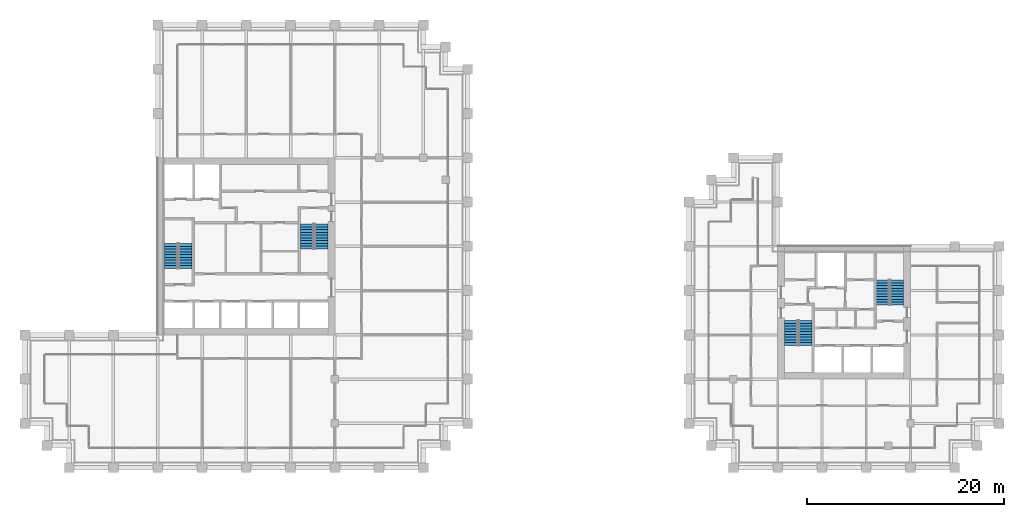
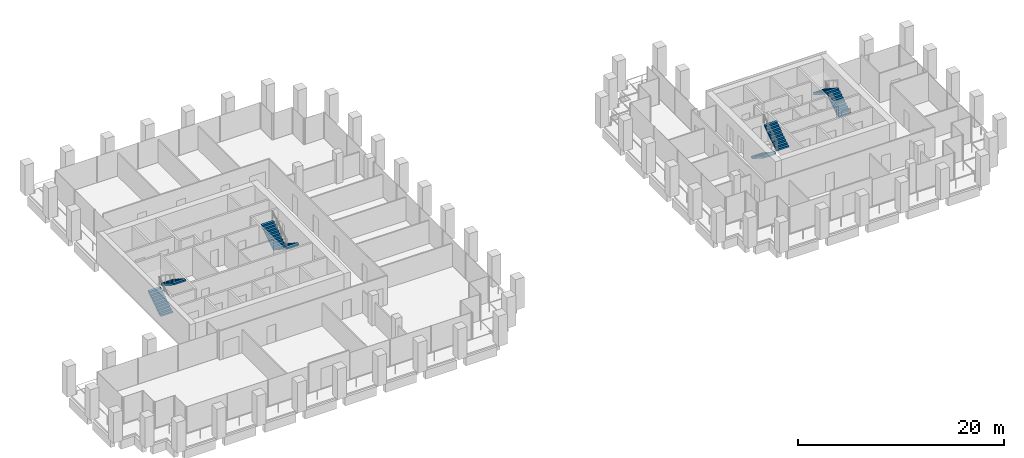
# One storey, part 45 of 47: 8 stair flights, 4 elements without a shape of their own.
"""IFC4 building model written with IfcOpenShell, lengths in metres."""

from ifc_helpers import new_model, si_unit, direction, frame, origin, place, context, subcontext, project, spatial, polyline, outline, extrude, material, type_object, element, aggregate, save


model = new_model("IFC4")

# Units and contexts
model_context = context("Model", 3, precision=1e-05, world=origin(), true_north=direction((0.0, 1.0)))
body_context = subcontext(model_context, "Body", "Model", "MODEL_VIEW")
ifc_project = project(units=[si_unit("LENGTHUNIT", "METRE"), si_unit("AREAUNIT", "SQUARE_METRE"), si_unit("VOLUMEUNIT", "CUBIC_METRE"), si_unit("PLANEANGLEUNIT", "RADIAN"), si_unit("MASSUNIT", "GRAM", prefix="KILO")], contexts=[model_context])

# Site, building, storey
site_placement = place(None, origin())
site = spatial("IfcSite", under=ifc_project, at=site_placement, CompositionType="ELEMENT")
building_placement = place(site_placement, origin())
building = spatial("IfcBuilding", under=site, at=building_placement, Name="Altepetl Exchange Towers", CompositionType="ELEMENT")
storey_placement = place(building_placement, frame((0.0, 0.0, 95.60009765625)))
storey = spatial("IfcBuildingStorey", under=building, at=storey_placement, Name="L23", CompositionType="ELEMENT", Elevation=95.60009765625)

# Stair, stair flights
ifc_material = material(Name="Concrete C40/50", Category="concrete")
stair_type = type_object("IfcStairType", Name="Exit stair 1350 flights dogleg", PredefinedType="HALF_TURN_STAIR", material=ifc_material)
stair_1_placement = place(storey_placement, origin())
stair_1 = element("IfcStair", 1, at=stair_1_placement, inside=storey, type_object=stair_type, Name="Exit stair 1", PredefinedType="HALF_TURN_STAIR")
stair_flight_type = type_object("IfcStairFlightType", Name="Stair flight 1350 wide", PredefinedType="STRAIGHT", material=ifc_material)
stair_flight_1_placement = place(storey_placement, frame((41.875, 47.25, 0.0), z_axis=(0.0, 0.0, 1.0), x_axis=(0.0, 1.0, 0.0)))
stair_flight_1 = element("IfcStairFlight", 2, at=stair_flight_1_placement, type_object=stair_flight_type, Name="ST-A1d flight 1", NumberOfRisers=10, NumberOfTreads=9, PredefinedType="STRAIGHT", RiserHeight=0.18, TreadLength=0.28, context=body_context, shape_type="SweptSolid", body=[
    extrude(outline(polyline([(0.0, 0.0), (0.0, 0.179931640625), (0.280029296875, 0.179931640625), (0.280029296875, 0.360107421875), (0.56005859375, 0.360107421875), (0.56005859375, 0.5400390625), (0.840087890625, 0.5400390625), (0.840087890625, 0.719970703125), (1.1201171875, 0.719970703125), (1.1201171875, 0.89990234375), (1.39990234375, 0.89990234375), (1.39990234375, 1.080078125), (1.679931640625, 1.080078125), (1.679931640625, 1.260009765625), (1.9599609375, 1.260009765625), (1.9599609375, 1.43994140625), (2.239990234375, 1.43994140625), (2.239990234375, 1.6201171875), (2.52001953125, 1.6201171875), (2.52001953125, 1.800048828125), (2.52001953125, 1.44189453125), (0.277099609375, 0.0), (0.0, 0.0)])), frame((0.0, 0.675048828125, 0.0), z_axis=(0.0, -1.0, 0.0), x_axis=(1.0, 0.0, 0.0)), (0.0, 0.0, 1.0), 1.35009765625),
])
stair_flight_2_placement = place(storey_placement, frame((43.324951171875, 49.77001953125, 1.7998046875), z_axis=(0.0, 0.0, 1.0), x_axis=(0.0, -1.0, 0.0)))
stair_flight_2 = element("IfcStairFlight", 3, at=stair_flight_2_placement, type_object=stair_flight_type, Name="ST-A1d flight 2", NumberOfRisers=10, NumberOfTreads=9, PredefinedType="STRAIGHT", RiserHeight=0.18, TreadLength=0.28, context=body_context, shape_type="SweptSolid", body=[
    extrude(outline(polyline([(0.0, 0.0), (0.0, 0.179931640625), (0.280029296875, 0.179931640625), (0.280029296875, 0.360107421875), (0.56005859375, 0.360107421875), (0.56005859375, 0.5400390625), (0.840087890625, 0.5400390625), (0.840087890625, 0.719970703125), (1.1201171875, 0.719970703125), (1.1201171875, 0.89990234375), (1.39990234375, 0.89990234375), (1.39990234375, 1.080078125), (1.679931640625, 1.080078125), (1.679931640625, 1.260009765625), (1.9599609375, 1.260009765625), (1.9599609375, 1.43994140625), (2.239990234375, 1.43994140625), (2.239990234375, 1.6201171875), (2.52001953125, 1.6201171875), (2.52001953125, 1.800048828125), (2.52001953125, 1.44189453125), (0.277099609375, 0.0), (0.0, 0.0)])), frame((0.0, 0.675048828125, 0.0), z_axis=(0.0, -1.0, 0.0), x_axis=(1.0, 0.0, 0.0)), (0.0, 0.0, 1.0), 1.35009765625),
])
aggregate(stair_1, [stair_flight_1, stair_flight_2])

stair_2_placement = place(storey_placement, origin())
stair_2 = element("IfcStair", 4, at=stair_2_placement, inside=storey, type_object=stair_type, Name="Exit stair 2", PredefinedType="HALF_TURN_STAIR")
stair_flight_3_placement = place(storey_placement, frame((57.125, 51.75, 0.0), z_axis=(0.0, 0.0, 1.0), x_axis=(0.0, -1.0, 0.0)))
stair_flight_3 = element("IfcStairFlight", 5, at=stair_flight_3_placement, type_object=stair_flight_type, Name="ST-A2d flight 1", NumberOfRisers=10, NumberOfTreads=9, PredefinedType="STRAIGHT", RiserHeight=0.18, TreadLength=0.28, context=body_context, shape_type="SweptSolid", body=[
    extrude(outline(polyline([(0.0, 0.0), (0.0, 0.179931640625), (0.280029296875, 0.179931640625), (0.280029296875, 0.360107421875), (0.56005859375, 0.360107421875), (0.56005859375, 0.5400390625), (0.840087890625, 0.5400390625), (0.840087890625, 0.719970703125), (1.1201171875, 0.719970703125), (1.1201171875, 0.89990234375), (1.39990234375, 0.89990234375), (1.39990234375, 1.080078125), (1.679931640625, 1.080078125), (1.679931640625, 1.260009765625), (1.9599609375, 1.260009765625), (1.9599609375, 1.43994140625), (2.239990234375, 1.43994140625), (2.239990234375, 1.6201171875), (2.52001953125, 1.6201171875), (2.52001953125, 1.800048828125), (2.52001953125, 1.44189453125), (0.277099609375, 0.0), (0.0, 0.0)])), frame((0.0, 0.675048828125, 0.0), z_axis=(0.0, -1.0, 0.0), x_axis=(1.0, 0.0, 0.0)), (0.0, 0.0, 1.0), 1.35009765625),
])
stair_flight_4_placement = place(storey_placement, frame((55.675048828125, 49.22998046875, 1.7998046875), z_axis=(0.0, 0.0, 1.0), x_axis=(0.0, 1.0, 0.0)))
stair_flight_4 = element("IfcStairFlight", 6, at=stair_flight_4_placement, type_object=stair_flight_type, Name="ST-A2d flight 2", NumberOfRisers=10, NumberOfTreads=9, PredefinedType="STRAIGHT", RiserHeight=0.18, TreadLength=0.28, context=body_context, shape_type="SweptSolid", body=[
    extrude(outline(polyline([(0.0, 0.0), (0.0, 0.179931640625), (0.280029296875, 0.179931640625), (0.280029296875, 0.360107421875), (0.56005859375, 0.360107421875), (0.56005859375, 0.5400390625), (0.840087890625, 0.5400390625), (0.840087890625, 0.719970703125), (1.1201171875, 0.719970703125), (1.1201171875, 0.89990234375), (1.39990234375, 0.89990234375), (1.39990234375, 1.080078125), (1.679931640625, 1.080078125), (1.679931640625, 1.260009765625), (1.9599609375, 1.260009765625), (1.9599609375, 1.43994140625), (2.239990234375, 1.43994140625), (2.239990234375, 1.6201171875), (2.52001953125, 1.6201171875), (2.52001953125, 1.800048828125), (2.52001953125, 1.44189453125), (0.277099609375, 0.0), (0.0, 0.0)])), frame((0.0, 0.675048828125, 0.0), z_axis=(0.0, -1.0, 0.0), x_axis=(1.0, 0.0, 0.0)), (0.0, 0.0, 1.0), 1.35009765625),
])
aggregate(stair_2, [stair_flight_3, stair_flight_4])

stair_3_placement = place(storey_placement, origin())
stair_3 = element("IfcStair", 7, at=stair_3_placement, inside=storey, type_object=stair_type, Name="Exit stair 1", PredefinedType="HALF_TURN_STAIR")
stair_flight_5_placement = place(storey_placement, frame((104.875, 41.949951171875, 0.0), z_axis=(0.0, 0.0, 1.0), x_axis=(0.0, -1.0, 0.0)))
stair_flight_5 = element("IfcStairFlight", 8, at=stair_flight_5_placement, type_object=stair_flight_type, Name="ST-B1d flight 1", NumberOfRisers=10, NumberOfTreads=9, PredefinedType="STRAIGHT", RiserHeight=0.18, TreadLength=0.28, context=body_context, shape_type="SweptSolid", body=[
    extrude(outline(polyline([(0.0, 0.0), (0.0, 0.179931640625), (0.280029296875, 0.179931640625), (0.280029296875, 0.360107421875), (0.56005859375, 0.360107421875), (0.56005859375, 0.5400390625), (0.840087890625, 0.5400390625), (0.840087890625, 0.719970703125), (1.1201171875, 0.719970703125), (1.1201171875, 0.89990234375), (1.39990234375, 0.89990234375), (1.39990234375, 1.080078125), (1.679931640625, 1.080078125), (1.679931640625, 1.260009765625), (1.9599609375, 1.260009765625), (1.9599609375, 1.43994140625), (2.239990234375, 1.43994140625), (2.239990234375, 1.6201171875), (2.52001953125, 1.6201171875), (2.52001953125, 1.800048828125), (2.52001953125, 1.44189453125), (0.277099609375, 0.0), (0.0, 0.0)])), frame((0.0, 0.675048828125, 0.0), z_axis=(0.0, -1.0, 0.0), x_axis=(1.0, 0.0, 0.0)), (0.0, 0.0, 1.0), 1.35009765625),
])
stair_flight_6_placement = place(storey_placement, frame((106.324951171875, 39.429931640625, 1.7998046875), z_axis=(0.0, 0.0, 1.0), x_axis=(0.0, 1.0, 0.0)))
stair_flight_6 = element("IfcStairFlight", 9, at=stair_flight_6_placement, type_object=stair_flight_type, Name="ST-B1d flight 2", NumberOfRisers=10, NumberOfTreads=9, PredefinedType="STRAIGHT", RiserHeight=0.18, TreadLength=0.28, context=body_context, shape_type="SweptSolid", body=[
    extrude(outline(polyline([(0.0, 0.0), (0.0, 0.179931640625), (0.280029296875, 0.179931640625), (0.280029296875, 0.360107421875), (0.56005859375, 0.360107421875), (0.56005859375, 0.5400390625), (0.840087890625, 0.5400390625), (0.840087890625, 0.719970703125), (1.1201171875, 0.719970703125), (1.1201171875, 0.89990234375), (1.39990234375, 0.89990234375), (1.39990234375, 1.080078125), (1.679931640625, 1.080078125), (1.679931640625, 1.260009765625), (1.9599609375, 1.260009765625), (1.9599609375, 1.43994140625), (2.239990234375, 1.43994140625), (2.239990234375, 1.6201171875), (2.52001953125, 1.6201171875), (2.52001953125, 1.800048828125), (2.52001953125, 1.44189453125), (0.277099609375, 0.0), (0.0, 0.0)])), frame((0.0, 0.675048828125, 0.0), z_axis=(0.0, -1.0, 0.0), x_axis=(1.0, 0.0, 0.0)), (0.0, 0.0, 1.0), 1.35009765625),
])
aggregate(stair_3, [stair_flight_5, stair_flight_6])

stair_4_placement = place(storey_placement, origin())
stair_4 = element("IfcStair", 10, at=stair_4_placement, inside=storey, type_object=stair_type, Name="Exit stair 2", PredefinedType="HALF_TURN_STAIR")
stair_flight_7_placement = place(storey_placement, frame((115.625, 43.550048828125, 0.0), z_axis=(0.0, 0.0, 1.0), x_axis=(0.0, 1.0, 0.0)))
stair_flight_7 = element("IfcStairFlight", 11, at=stair_flight_7_placement, type_object=stair_flight_type, Name="ST-B2d flight 1", NumberOfRisers=10, NumberOfTreads=9, PredefinedType="STRAIGHT", RiserHeight=0.18, TreadLength=0.28, context=body_context, shape_type="SweptSolid", body=[
    extrude(outline(polyline([(0.0, 0.0), (0.0, 0.179931640625), (0.280029296875, 0.179931640625), (0.280029296875, 0.360107421875), (0.56005859375, 0.360107421875), (0.56005859375, 0.5400390625), (0.840087890625, 0.5400390625), (0.840087890625, 0.719970703125), (1.1201171875, 0.719970703125), (1.1201171875, 0.89990234375), (1.39990234375, 0.89990234375), (1.39990234375, 1.080078125), (1.679931640625, 1.080078125), (1.679931640625, 1.260009765625), (1.9599609375, 1.260009765625), (1.9599609375, 1.43994140625), (2.239990234375, 1.43994140625), (2.239990234375, 1.6201171875), (2.52001953125, 1.6201171875), (2.52001953125, 1.800048828125), (2.52001953125, 1.44189453125), (0.277099609375, 0.0), (0.0, 0.0)])), frame((0.0, 0.675048828125, 0.0), z_axis=(0.0, -1.0, 0.0), x_axis=(1.0, 0.0, 0.0)), (0.0, 0.0, 1.0), 1.35009765625),
])
stair_flight_8_placement = place(storey_placement, frame((114.175048828125, 46.070068359375, 1.7998046875), z_axis=(0.0, 0.0, 1.0), x_axis=(0.0, -1.0, 0.0)))
stair_flight_8 = element("IfcStairFlight", 12, at=stair_flight_8_placement, type_object=stair_flight_type, Name="ST-B2d flight 2", NumberOfRisers=10, NumberOfTreads=9, PredefinedType="STRAIGHT", RiserHeight=0.18, TreadLength=0.28, context=body_context, shape_type="SweptSolid", body=[
    extrude(outline(polyline([(0.0, 0.0), (0.0, 0.179931640625), (0.280029296875, 0.179931640625), (0.280029296875, 0.360107421875), (0.56005859375, 0.360107421875), (0.56005859375, 0.5400390625), (0.840087890625, 0.5400390625), (0.840087890625, 0.719970703125), (1.1201171875, 0.719970703125), (1.1201171875, 0.89990234375), (1.39990234375, 0.89990234375), (1.39990234375, 1.080078125), (1.679931640625, 1.080078125), (1.679931640625, 1.260009765625), (1.9599609375, 1.260009765625), (1.9599609375, 1.43994140625), (2.239990234375, 1.43994140625), (2.239990234375, 1.6201171875), (2.52001953125, 1.6201171875), (2.52001953125, 1.800048828125), (2.52001953125, 1.44189453125), (0.277099609375, 0.0), (0.0, 0.0)])), frame((0.0, 0.675048828125, 0.0), z_axis=(0.0, -1.0, 0.0), x_axis=(1.0, 0.0, 0.0)), (0.0, 0.0, 1.0), 1.35009765625),
])
aggregate(stair_4, [stair_flight_7, stair_flight_8])

save(model, "model.ifc")
